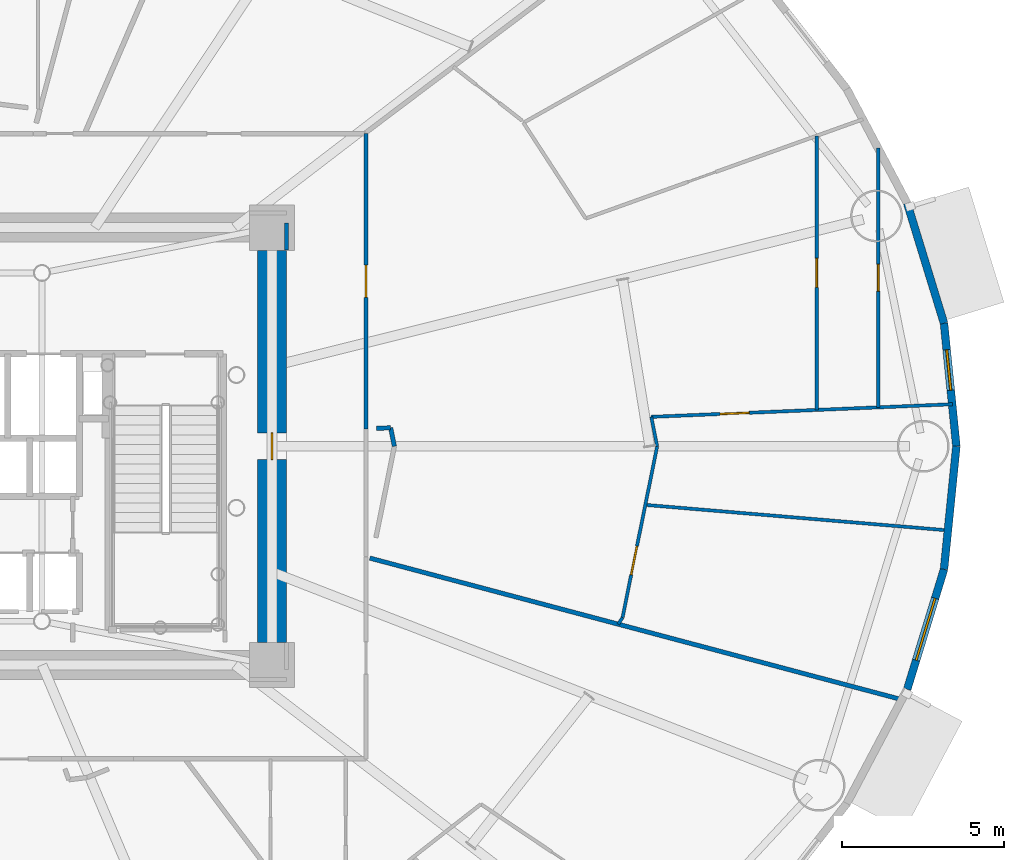
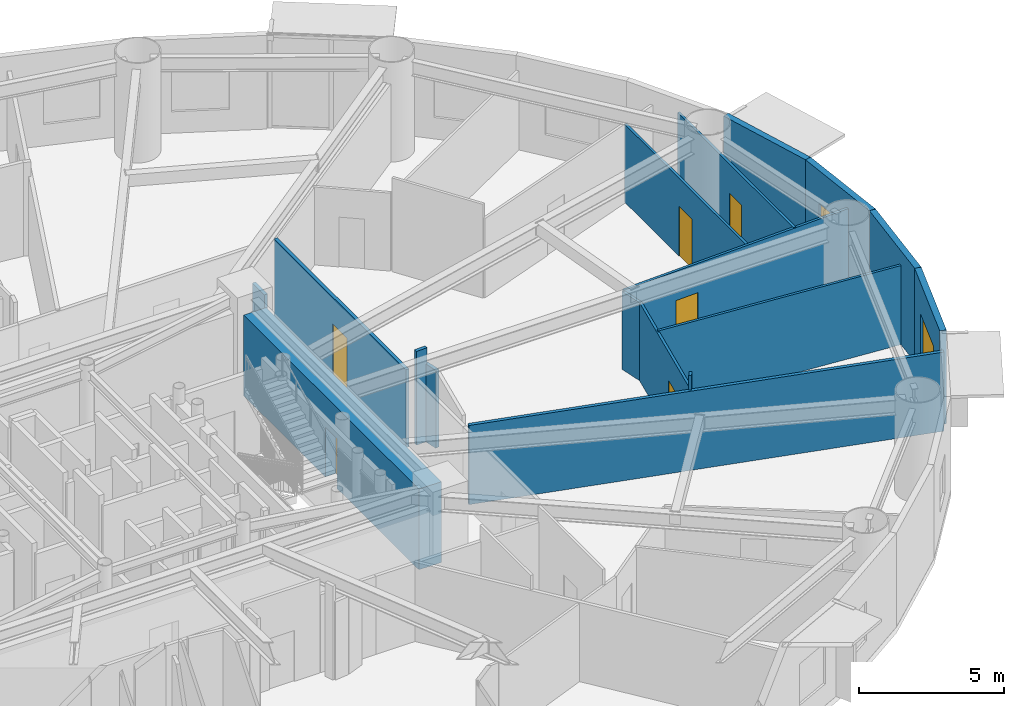
# One storey, part 14 of 24: 17 walls, 6 doors, 2 windows, 8 openings.
"""IFC4 building model written with IfcOpenShell, lengths in metres."""

import ifcopenshell
import ifcopenshell.guid

model = None  # the IFC model being written
_history = None  # IfcOwnerHistory: only IFC2X3 demands one
_inside = {}  # id of a spatial element -> (the spatial element, [elements in it])
_under = {}  # id of a project, library or spatial element -> (it, [spatial elements below it])
_declared = {}  # id of a project -> (the project, [libraries it declares])
_typed = {}  # id of a type object -> (the type object, [elements of that type])
_made_of = {}  # id of a material, layer set ... -> (it, [elements and type objects made of it])


def new_model(schema):
    """Start an empty IFC model of exactly this schema.

    Asked for "IFC4X3", IfcOpenShell would pick the latest addendum, in which some entities
    have other attributes; the version numbers below select the first issue.
    IFC2X3 requires an IfcOwnerHistory on every rooted entity: one is made here for all.
    """
    global model, _history
    if schema == "IFC4X3":
        model = ifcopenshell.file(schema_version=(4, 3, 0, 0))
    else:
        model = ifcopenshell.file(schema=schema)
    _inside.clear()
    _under.clear()
    _declared.clear()
    _typed.clear()
    _made_of.clear()
    _history = None
    if model.schema == "IFC2X3":
        org = make("IfcOrganization", Name="unknown")
        user = make(
            "IfcPersonAndOrganization",
            ThePerson=make("IfcPerson", FamilyName="unknown"),
            TheOrganization=org,
        )
        app = make(
            "IfcApplication",
            ApplicationDeveloper=org,
            Version="unknown",
            ApplicationFullName="unknown",
            ApplicationIdentifier="unknown",
        )
        _history = make(
            "IfcOwnerHistory",
            OwningUser=user,
            OwningApplication=app,
            ChangeAction="ADDED",
            CreationDate=0,
        )
    return model


def make(cls, **values):
    """One entity of the class cls with the attributes given. An attribute that is None is left unset."""
    return model.create_entity(
        cls, **{name: value for name, value in values.items() if value is not None}
    )


def rooted(cls, **values):
    """An entity with a GlobalId (a new one), such as an element, a storey or a relation."""
    return make(cls, GlobalId=ifcopenshell.guid.new(), OwnerHistory=_history, **values)


def si_unit(unit_type, name, prefix=None):
    """IfcSIUnit, for example si_unit("LENGTHUNIT", "METRE", prefix="MILLI")."""
    return make("IfcSIUnit", UnitType=unit_type, Prefix=prefix, Name=name)


def assignment(units):
    """IfcUnitAssignment: the units of a project."""
    return None if units is None else make("IfcUnitAssignment", Units=units)


def point(xyz):
    """IfcCartesianPoint."""
    return None if xyz is None else make("IfcCartesianPoint", Coordinates=xyz)


def direction(xyz):
    """IfcDirection."""
    return None if xyz is None else make("IfcDirection", DirectionRatios=xyz)


def frame(location, z_axis=None, x_axis=None):
    """IfcAxis2Placement3D, a coordinate frame: its origin and axes. An axis left out is left unset."""
    return make(
        "IfcAxis2Placement3D",
        Location=point(location),
        Axis=direction(z_axis),
        RefDirection=direction(x_axis),
    )


def frame_2d(location, x_axis=None):
    """IfcAxis2Placement2D, a coordinate frame in the plane: its origin and x axis."""
    return make(
        "IfcAxis2Placement2D", Location=point(location), RefDirection=direction(x_axis)
    )


def origin():
    """The frame at (0, 0, 0) with its axes left unset."""
    return frame((0.0, 0.0, 0.0))


def origin_2d():
    """The frame at (0, 0) in the plane with its x axis left unset."""
    return frame_2d((0.0, 0.0))


def place(relative_to, where):
    """IfcLocalPlacement: puts the frame where relative to a parent placement (None: the world)."""
    return make(
        "IfcLocalPlacement", PlacementRelTo=relative_to, RelativePlacement=where
    )


def context(
    kind, dimensions, precision=None, world=None, true_north=None, identifier=None
):
    """IfcGeometricRepresentationContext, for example the 3D "Model" context."""
    return make(
        "IfcGeometricRepresentationContext",
        ContextIdentifier=identifier,
        ContextType=kind,
        CoordinateSpaceDimension=dimensions,
        Precision=precision,
        WorldCoordinateSystem=world,
        TrueNorth=true_north,
    )


def subcontext(parent, identifier, kind, view, scale=None):
    """IfcGeometricRepresentationSubContext, for example "Body" below "Model"."""
    return make(
        "IfcGeometricRepresentationSubContext",
        ContextIdentifier=identifier,
        ContextType=kind,
        ParentContext=parent,
        TargetScale=scale,
        TargetView=view,
    )


def project(units=None, contexts=None):
    """IfcProject with its units and contexts."""
    return rooted(
        "IfcProject",
        Name="project",
        RepresentationContexts=contexts,
        UnitsInContext=assignment(units),
    )


def spatial(cls, under=None, at=None, **own):
    """A site, building, storey or space (cls), placed at a placement, below another one or the project."""
    s = rooted(cls, ObjectPlacement=at, **own)
    if under is not None:
        _under.setdefault(under.id(), (under, []))[1].append(s)
    return s


def profile(cls, at=None, kind="AREA", **sizes):
    """A parametric profile (cls). Its sizes go by their IFC names, for example OverallWidth=200.0."""
    return make(cls, ProfileType=kind, Position=at, **sizes)


def rectangle(**sizes):
    """IfcRectangleProfileDef."""
    return profile("IfcRectangleProfileDef", **sizes)


def extrude(swept, where, along, depth):
    """IfcExtrudedAreaSolid: the profile swept, set in the frame where, extruded along a direction by depth."""
    return make(
        "IfcExtrudedAreaSolid",
        SweptArea=swept,
        Position=where,
        ExtrudedDirection=direction(along),
        Depth=depth,
    )


def shape(context_of_items, identifier, shape_type, items):
    """IfcShapeRepresentation: the items that make up one representation, for example the "Body"."""
    return make(
        "IfcShapeRepresentation",
        ContextOfItems=context_of_items,
        RepresentationIdentifier=identifier,
        RepresentationType=shape_type,
        Items=items,
    )


def source(mapping_origin, context_of_items, identifier, shape_type, items):
    """IfcRepresentationMap: a shape defined once, which mapped items show again and again."""
    return make(
        "IfcRepresentationMap",
        MappingOrigin=mapping_origin,
        MappedRepresentation=shape(context_of_items, identifier, shape_type, items),
    )


def transform(
    local_origin,
    x_axis=None,
    y_axis=None,
    z_axis=None,
    scale=None,
    scale2=None,
    scale3=None,
    uniform=True,
):
    """IfcCartesianTransformationOperator3D, or its non-uniform kind. x_axis, y_axis, z_axis: its Axis1, 2, 3."""
    if uniform:
        return make(
            "IfcCartesianTransformationOperator3D",
            Axis1=direction(x_axis),
            Axis2=direction(y_axis),
            LocalOrigin=point(local_origin),
            Scale=scale,
            Axis3=direction(z_axis),
        )
    return make(
        "IfcCartesianTransformationOperator3DnonUniform",
        Axis1=direction(x_axis),
        Axis2=direction(y_axis),
        LocalOrigin=point(local_origin),
        Scale=scale,
        Axis3=direction(z_axis),
        Scale2=scale2,
        Scale3=scale3,
    )


def mapped(mapping_source, mapping_target):
    """IfcMappedItem: shows the shape of a source again, moved by a transform."""
    return make(
        "IfcMappedItem", MappingSource=mapping_source, MappingTarget=mapping_target
    )


def material(Name=None, Category=None):
    """IfcMaterial."""
    return make("IfcMaterial", Name=Name, Category=Category)


def layer(
    of_material, thickness, ventilated=None, Name=None, Category=None, Priority=None
):
    """IfcMaterialLayer: one layer of a wall or slab, of a material (None: an air gap)."""
    return make(
        "IfcMaterialLayer",
        Material=of_material,
        LayerThickness=thickness,
        IsVentilated=ventilated,
        Name=Name,
        Category=Category,
        Priority=Priority,
    )


def layer_set(layers, Name=None):
    """IfcMaterialLayerSet."""
    return make("IfcMaterialLayerSet", MaterialLayers=layers, LayerSetName=Name)


def made_of(thing, what):
    """Note that an element or type object is made of a material, layer set ...; save() writes the relation."""
    if what is not None:
        _made_of.setdefault(what.id(), (what, []))[1].append(thing)
    return thing


def type_object(cls, material=None, **own):
    """A type object (cls), such as IfcWallType, which elements share."""
    return made_of(rooted(cls, **own), material)


def element(
    cls,
    number,
    at=None,
    inside=None,
    cuts=None,
    type_object=None,
    material=None,
    context=None,
    identifier="Body",
    shape_type=None,
    held_by="IfcProductDefinitionShape",
    body=None,
    shapes=None,
    **own,
):
    """One element of the class cls, such as IfcWall. Its Tag is "e" and its number.

    at: its placement. inside: the storey or other place that contains it. cuts: it is an
    opening in that element (IfcRelVoidsElement). A single representation is given by context,
    identifier, shape_type and body (its items); several are given by shapes. held_by: the class
    of the entity that holds the representations. save() writes the other relations.
    """
    e = rooted(cls, Tag="e%d" % number, ObjectPlacement=at, **own)
    if body is not None:
        shapes = [shape(context, identifier, shape_type, body)]
    if shapes is not None:
        e.Representation = make(held_by, Representations=shapes)
    if inside is not None:
        _inside.setdefault(inside.id(), (inside, []))[1].append(e)
    if cuts is not None:
        rooted(
            "IfcRelVoidsElement", RelatingBuildingElement=cuts, RelatedOpeningElement=e
        )
    if type_object is not None:
        _typed.setdefault(type_object.id(), (type_object, []))[1].append(e)
    return made_of(e, material)


def fill(opening, filler):
    """IfcRelFillsElement: the door or window that sits in an opening."""
    return rooted(
        "IfcRelFillsElement",
        RelatingOpeningElement=opening,
        RelatedBuildingElement=filler,
    )


def aggregate(whole, parts):
    """IfcRelAggregates: a whole, such as a stair, and the parts it consists of."""
    return rooted("IfcRelAggregates", RelatingObject=whole, RelatedObjects=parts)


def save(model, path):
    """Write the relations noted so far, then the file.

    IfcRelAggregates (storeys below a building ...), IfcRelContainedInSpatialStructure (elements
    in a storey), IfcRelDefinesByType, IfcRelAssociatesMaterial and IfcRelDeclares: one each for
    every whole, place, type object, material and project.
    """
    for whole, parts in _under.values():
        aggregate(whole, parts)
    for where, things in _inside.values():
        rooted(
            "IfcRelContainedInSpatialStructure",
            RelatedElements=things,
            RelatingStructure=where,
        )
    for kind, things in _typed.values():
        rooted("IfcRelDefinesByType", RelatedObjects=things, RelatingType=kind)
    for what, things in _made_of.values():
        rooted("IfcRelAssociatesMaterial", RelatedObjects=things, RelatingMaterial=what)
    for by, libraries in _declared.values():
        rooted("IfcRelDeclares", RelatingContext=by, RelatedDefinitions=libraries)
    model.write(path)


model = new_model("IFC4")

# Units and contexts
model_context = context("Model", 3, precision=1e-05, world=origin(), true_north=direction((0.0, 1.0)))
body_context = subcontext(model_context, "Body", "Model", "MODEL_VIEW")
ifc_project = project(units=[si_unit("LENGTHUNIT", "METRE"), si_unit("AREAUNIT", "SQUARE_METRE"), si_unit("VOLUMEUNIT", "CUBIC_METRE"), si_unit("PLANEANGLEUNIT", "RADIAN"), si_unit("MASSUNIT", "GRAM", prefix="KILO")], contexts=[model_context])

# Site, building, storey
site_placement = place(None, origin())
site = spatial("IfcSite", under=ifc_project, at=site_placement, CompositionType="ELEMENT")
building_placement = place(site_placement, origin())
building = spatial("IfcBuilding", under=site, at=building_placement, Name="Linh Dai School and Residence Tower", CompositionType="ELEMENT")
storey_placement = place(building_placement, frame((0.0, 0.0, 70.199951171875)))
storey = spatial("IfcBuildingStorey", under=building, at=storey_placement, Name="L16", CompositionType="ELEMENT", Elevation=70.199951171875)

# Wall, opening, window
ifc_material_1 = material(Name="Precast Concrete B45 (C35/45)", Category="concrete")
ifc_layer_1 = layer(ifc_material_1, 0.239990234375)
ifc_layer_set_1 = layer_set([ifc_layer_1], Name="Precast Concrete B45 (C35/45)")
wall_type_1 = type_object("IfcWallType", Name="EW-TC-240", PredefinedType="SOLIDWALL", material=ifc_layer_set_1)
wall_1_placement = place(storey_placement, frame((66.693359375, 30.796875, 0.0), z_axis=(0.0, 0.0, 1.0), x_axis=(0.099997795174, -0.994987658698, 0.0)))
wall_1 = element("IfcWall", 1, at=wall_1_placement, inside=storey, type_object=wall_type_1, Name="L16 Terracotta Exterior Wall 01", PredefinedType="SOLIDWALL", context=body_context, shape_type="SweptSolid", body=[
    extrude(rectangle(XDim=3.81591796875, YDim=0.239990234375, at=frame_2d((1.907958984375, 0.0))), origin(), (0.0, 0.0, 1.0), 3.949951171875),
])
opening_1_placement = place(wall_1_placement, frame((0.82421875, 0.0, 0.89990234375)))
opening_1 = element("IfcOpeningElement", 2, at=opening_1_placement, cuts=wall_1, Name="Opening W3", PredefinedType="OPENING", context=body_context, shape_type="SweptSolid", body=[
    extrude(rectangle(XDim=1.25, YDim=1.64990234375, at=origin_2d()), frame((0.625, 0.1298828125, 0.824951171875), z_axis=(0.0, -1.0, 0.0), x_axis=(1.0, 0.0, 0.0)), (0.0, 0.0, 1.0), 0.260009765625),
])
ifc_material_2 = material(Name="Double Low-E Insulated Glazing", Category="glass")
window_type_1 = type_object("IfcWindowType", Name="WN-RES-1250x1650", PartitioningType="SINGLE_PANEL", PredefinedType="WINDOW", material=ifc_material_2)
shared_shape_1 = source(origin(), body_context, "Body", "SweptSolid", [
    extrude(rectangle(XDim=1.25, YDim=1.64990234375, at=origin_2d()), frame((0.625, 0.030029296875, 0.824951171875), z_axis=(0.0, -1.0, 0.0), x_axis=(1.0, 0.0, 0.0)), (0.0, 0.0, 1.0), 0.06005859375),
])
window_1_placement = place(opening_1_placement, origin())
window_1 = element("IfcWindow", 3, at=window_1_placement, inside=storey, type_object=window_type_1, Name="L16 Exterior Window 01.1", OverallHeight=1.64990234375, OverallWidth=1.25, PartitioningType="SINGLE_PANEL", PredefinedType="WINDOW", context=body_context, shape_type="MappedRepresentation", body=[
    mapped(shared_shape_1, transform((0.0, 0.0, 0.0), x_axis=(1.0, 0.0, 0.0), y_axis=(0.0, 1.0, 0.0), z_axis=(0.0, 0.0, 1.0), scale=1.0)),
])
fill(opening_1, window_1)

# Wall
wall_2_placement = place(storey_placement, frame((65.5576171875, 34.50146484375, 0.0), z_axis=(0.0, 0.0, 1.0), x_axis=(0.293111631758, -0.956078224482, 0.0)))
element("IfcWall", 4, at=wall_2_placement, inside=storey, type_object=wall_type_1, Name="L16 Terracotta Exterior Wall 02", PredefinedType="SOLIDWALL", context=body_context, shape_type="SweptSolid", body=[
    extrude(rectangle(XDim=3.874755859375, YDim=0.239990234375, at=frame_2d((1.9375, 0.0))), origin(), (0.0, 0.0, 1.0), 3.949951171875),
])

# Wall, opening, window
wall_3_placement = place(storey_placement, frame((66.693359375, 23.203125, 0.0), z_axis=(0.0, 0.0, 1.0), x_axis=(-0.293111631758, -0.956078224482, 0.0)))
wall_3 = element("IfcWall", 5, at=wall_3_placement, inside=storey, type_object=wall_type_1, Name="L16 Terracotta Exterior Wall 39", PredefinedType="SOLIDWALL", context=body_context, shape_type="SweptSolid", body=[
    extrude(rectangle(XDim=3.874755859375, YDim=0.239990234375, at=frame_2d((1.9375, 0.0))), origin(), (0.0, 0.0, 1.0), 3.949951171875),
])
opening_2_placement = place(wall_3_placement, frame((0.9375, 0.0, 0.89990234375)))
opening_2 = element("IfcOpeningElement", 6, at=opening_2_placement, cuts=wall_3, Name="Opening W1", PredefinedType="OPENING", context=body_context, shape_type="SweptSolid", body=[
    extrude(rectangle(XDim=2.0, YDim=1.75, at=origin_2d()), frame((1.0, 0.1298828125, 0.875), z_axis=(0.0, -1.0, 0.0), x_axis=(1.0, 0.0, 0.0)), (0.0, 0.0, 1.0), 0.260009765625),
])
window_type_2 = type_object("IfcWindowType", Name="WN-RES-2000x1750", PartitioningType="DOUBLE_PANEL_VERTICAL", PredefinedType="WINDOW", material=ifc_material_2)
shared_shape_2 = source(origin(), body_context, "Body", "SweptSolid", [
    extrude(rectangle(XDim=2.0, YDim=1.75, at=origin_2d()), frame((1.0, 0.030029296875, 0.875), z_axis=(0.0, -1.0, 0.0), x_axis=(1.0, 0.0, 0.0)), (0.0, 0.0, 1.0), 0.06005859375),
])
window_2_placement = place(opening_2_placement, origin())
window_2 = element("IfcWindow", 7, at=window_2_placement, inside=storey, type_object=window_type_2, Name="L16 Exterior Window 39.1", OverallHeight=1.75, OverallWidth=2.0, PartitioningType="DOUBLE_PANEL_VERTICAL", PredefinedType="WINDOW", context=body_context, shape_type="MappedRepresentation", body=[
    mapped(shared_shape_2, transform((0.0, 0.0, 0.0), x_axis=(1.0, 0.0, 0.0), y_axis=(0.0, 1.0, 0.0), z_axis=(0.0, 0.0, 1.0), scale=1.0)),
])
fill(opening_2, window_2)

# Wall
wall_4_placement = place(storey_placement, frame((67.074951171875, 27.0, 0.0), z_axis=(0.0, 0.0, 1.0), x_axis=(-0.099997795174, -0.994987658698, 0.0)))
element("IfcWall", 8, at=wall_4_placement, inside=storey, type_object=wall_type_1, Name="L16 Terracotta Exterior Wall 40", PredefinedType="SOLIDWALL", context=body_context, shape_type="SweptSolid", body=[
    extrude(rectangle(XDim=3.81591796875, YDim=0.239990234375, at=frame_2d((1.907958984375, 0.0))), origin(), (0.0, 0.0, 1.0), 3.949951171875),
])

# Wall, opening, door
ifc_material_3 = material(Name="Autoclaved Aerated Concrete Blockwork", Category="masonry")
ifc_layer_2 = layer(ifc_material_3, 0.135009765625)
ifc_layer_set_2 = layer_set([ifc_layer_2], Name="Autoclaved Aerated Concrete Blockwork")
wall_type_2 = type_object("IfcWallType", Name="IW-CORR-135-EI90", PredefinedType="PARTITIONING", material=ifc_layer_set_2)
wall_5_placement = place(storey_placement, frame((48.85009765625, 27.538330078125, 0.0), z_axis=(0.0, 0.0, 1.0), x_axis=(0.0, 1.0, 0.0)))
wall_5 = element("IfcWall", 9, at=wall_5_placement, inside=storey, type_object=wall_type_2, Name="L16 Interior Partition Wall 093", PredefinedType="PARTITIONING", context=body_context, shape_type="SweptSolid", body=[
    extrude(rectangle(XDim=9.111572265625, YDim=0.135009765625, at=frame_2d((4.5556640625, 0.0))), origin(), (0.0, 0.0, 1.0), 3.28515625),
])
opening_3_placement = place(wall_5_placement, frame((4.055908203125, 0.0, 0.0)))
opening_3 = element("IfcOpeningElement", 10, at=opening_3_placement, cuts=wall_5, Name="Opening D03", PredefinedType="OPENING", context=body_context, shape_type="SweptSolid", body=[
    extrude(rectangle(XDim=1.0, YDim=2.14990234375, at=origin_2d()), frame((0.5, 0.07763671875, 1.074951171875), z_axis=(0.0, -1.0, 0.0), x_axis=(1.0, 0.0, 0.0)), (0.0, 0.0, 1.0), 0.155029296875),
])
ifc_material_4 = material(Name="Fire-Rated Solid Timber Entrance Door", Category="wood")
door_type_1 = type_object("IfcDoorType", Name="DR-FLAT-1000x2150-FD60S", OperationType="NOTDEFINED", PredefinedType="DOOR", material=ifc_material_4)
shared_shape_3 = source(origin(), body_context, "Body", "SweptSolid", [
    extrude(rectangle(XDim=1.0, YDim=2.14990234375, at=origin_2d()), frame((0.5, 0.02490234375, 1.074951171875), z_axis=(0.0, -1.0, 0.0), x_axis=(1.0, 0.0, 0.0)), (0.0, 0.0, 1.0), 0.050048828125),
])
door_1_placement = place(opening_3_placement, origin())
door_1 = element("IfcDoor", 11, at=door_1_placement, inside=storey, type_object=door_type_1, Name="L16 U1607 Apartment Entrance Door", OperationType="SINGLE_SWING_LEFT", OverallHeight=2.14990234375, OverallWidth=1.0, PredefinedType="DOOR", context=body_context, shape_type="MappedRepresentation", body=[
    mapped(shared_shape_3, transform((0.0, 0.0, 0.0), x_axis=(1.0, 0.0, 0.0), y_axis=(0.0, 1.0, 0.0), z_axis=(0.0, 0.0, 1.0), scale=1.0)),
])
fill(opening_3, door_1)

# Walls
wall_6_placement = place(storey_placement, frame((48.971435546875, 23.54833984375, 0.0), z_axis=(0.0, 0.0, 1.0), x_axis=(0.966368341592, -0.257161871917, 0.0)))
element("IfcWall", 12, at=wall_6_placement, inside=storey, type_object=wall_type_2, Name="L16 Interior Partition Wall 095", PredefinedType="PARTITIONING", context=body_context, shape_type="SweptSolid", body=[
    extrude(rectangle(XDim=16.99365234375, YDim=0.135009765625, at=frame_2d((8.496826171875, 0.0))), origin(), (0.0, 0.0, 1.0), 3.3349609375),
])
wall_7_placement = place(storey_placement, frame((46.39990234375, 33.06005859375, 0.0), z_axis=(0.0, 0.0, 1.0), x_axis=(0.0, 1.0, 0.0)))
element("IfcWall", 13, at=wall_7_placement, inside=storey, type_object=wall_type_2, Name="L16 Interior Partition Wall 132", PredefinedType="PARTITIONING", context=body_context, shape_type="SweptSolid", body=[
    extrude(rectangle(XDim=0.83251953125, YDim=0.135009765625, at=frame_2d((0.416259765625, 0.0))), origin(), (0.0, 0.0, 1.0), 3.949951171875),
])
wall_8_placement = place(storey_placement, frame((49.72802734375, 27.0, 0.0), z_axis=(0.0, 0.0, 1.0), x_axis=(-0.198455472993, 0.980109904674, 0.0)))
element("IfcWall", 14, at=wall_8_placement, inside=storey, type_object=wall_type_2, Name="L16 Interior Partition Wall 151", PredefinedType="PARTITIONING", context=body_context, shape_type="SweptSolid", body=[
    extrude(rectangle(XDim=0.581787109375, YDim=0.135009765625, at=frame_2d((0.291015625, 0.0))), origin(), (0.0, 0.0, 1.0), 3.28515625),
])
wall_9_placement = place(storey_placement, frame((49.612548828125, 27.5703125, 0.0), z_axis=(0.0, 0.0, 1.0), x_axis=(-0.999115494312, -0.042050315417, 0.0)))
element("IfcWall", 15, at=wall_9_placement, inside=storey, type_object=wall_type_2, Name="L16 Interior Partition Wall 152", PredefinedType="PARTITIONING", context=body_context, shape_type="SweptSolid", body=[
    extrude(rectangle(XDim=0.435546875, YDim=0.135009765625, at=frame_2d((0.2177734375, 0.0))), origin(), (0.0, 0.0, 1.0), 3.949951171875),
])
ifc_material_5 = material(Name="Gypsum Plasterboard Acoustic Stud Partition", Category="masonry")
ifc_layer_3 = layer(ifc_material_5, 0.10009765625)
ifc_layer_set_3 = layer_set([ifc_layer_3], Name="Gypsum Plasterboard Acoustic Stud Partition")
wall_type_3 = type_object("IfcWallType", Name="IW-UNIT-100", PredefinedType="PARTITIONING", material=ifc_layer_set_3)
wall_10_placement = place(storey_placement, frame((56.636474609375, 21.508544921875, 0.0), z_axis=(0.0, 0.0, 1.0), x_axis=(0.544849315021, 0.838533973027, 0.0)))
element("IfcWall", 16, at=wall_10_placement, inside=storey, type_object=wall_type_3, Name="L16 Interior Partition Wall 102", PredefinedType="PARTITIONING", context=body_context, shape_type="SweptSolid", body=[
    extrude(rectangle(XDim=0.246826171875, YDim=0.10009765625, at=frame_2d((0.12353515625, 0.0))), origin(), (0.0, 0.0, 1.0), 3.949951171875),
])

# Wall, opening, door
wall_11_placement = place(storey_placement, frame((56.77099609375, 21.715576171875, 0.0), z_axis=(0.0, 0.0, 1.0), x_axis=(0.198292702032, 0.980142848936, 0.0)))
wall_11 = element("IfcWall", 17, at=wall_11_placement, inside=storey, type_object=wall_type_3, Name="L16 Interior Partition Wall 103", PredefinedType="PARTITIONING", context=body_context, shape_type="SweptSolid", body=[
    extrude(rectangle(XDim=5.3916015625, YDim=0.10009765625, at=frame_2d((2.69580078125, 0.0))), origin(), (0.0, 0.0, 1.0), 3.28515625),
])
opening_4_placement = place(wall_11_placement, frame((1.3427734375, 0.0, 0.0)))
opening_4 = element("IfcOpeningElement", 18, at=opening_4_placement, cuts=wall_11, Name="Opening D05", PredefinedType="OPENING", context=body_context, shape_type="SweptSolid", body=[
    extrude(rectangle(XDim=0.89990234375, YDim=2.10009765625, at=origin_2d()), frame((0.449951171875, 0.06005859375, 1.050048828125), z_axis=(0.0, -1.0, 0.0), x_axis=(1.0, 0.0, 0.0)), (0.0, 0.0, 1.0), 0.1201171875),
])
ifc_material_6 = material(Name="Engineered Timber Internal Door", Category="wood")
door_type_2 = type_object("IfcDoorType", Name="DR-INT-900x2100", OperationType="NOTDEFINED", PredefinedType="DOOR", material=ifc_material_6)
shared_shape_4 = source(origin(), body_context, "Body", "SweptSolid", [
    extrude(rectangle(XDim=0.89990234375, YDim=2.10009765625, at=origin_2d()), frame((0.449951171875, 0.02490234375, 1.050048828125), z_axis=(0.0, -1.0, 0.0), x_axis=(1.0, 0.0, 0.0)), (0.0, 0.0, 1.0), 0.050048828125),
])
door_2_placement = place(opening_4_placement, origin())
door_2 = element("IfcDoor", 19, at=door_2_placement, inside=storey, type_object=door_type_2, Name="L16 Apartment U1607 Principal Bedroom 1 Door", OperationType="SINGLE_SWING_RIGHT", OverallHeight=2.10009765625, OverallWidth=0.89990234375, PredefinedType="DOOR", context=body_context, shape_type="MappedRepresentation", body=[
    mapped(shared_shape_4, transform((0.0, 0.0, 0.0), x_axis=(1.0, 0.0, 0.0), y_axis=(0.0, 1.0, 0.0), z_axis=(0.0, 0.0, 1.0), scale=1.0)),
])
fill(opening_4, door_2)

# Walls
wall_12_placement = place(storey_placement, frame((57.47412109375, 25.190673828125, 0.0), z_axis=(0.0, 0.0, 1.0), x_axis=(0.996471574276, -0.083930933863, 0.0)))
element("IfcWall", 20, at=wall_12_placement, inside=storey, type_object=wall_type_3, Name="L16 Interior Partition Wall 104", PredefinedType="PARTITIONING", context=body_context, shape_type="SweptSolid", body=[
    extrude(rectangle(XDim=9.378173828125, YDim=0.10009765625, at=frame_2d((4.68896484375, 0.0))), origin(), (0.0, 0.0, 1.0), 3.3349609375),
])
wall_13_placement = place(storey_placement, frame((57.656494140625, 27.9072265625, 0.0), z_axis=(0.0, 0.0, 1.0), x_axis=(0.198347441677, -0.980131772967, 0.0)))
element("IfcWall", 21, at=wall_13_placement, inside=storey, type_object=wall_type_3, Name="L16 Interior Partition Wall 105", PredefinedType="PARTITIONING", context=body_context, shape_type="SweptSolid", body=[
    extrude(rectangle(XDim=0.925537109375, YDim=0.10009765625, at=frame_2d((0.462890625, 0.0))), origin(), (0.0, 0.0, 1.0), 3.28515625),
])

# Wall, opening, door
wall_14_placement = place(storey_placement, frame((57.656494140625, 27.9072265625, 0.0), z_axis=(0.0, 0.0, 1.0), x_axis=(0.999123265136, 0.041865272767, 0.0)))
wall_14 = element("IfcWall", 22, at=wall_14_placement, inside=storey, type_object=wall_type_3, Name="L16 Interior Partition Wall 106", PredefinedType="PARTITIONING", context=body_context, shape_type="SweptSolid", body=[
    extrude(rectangle(XDim=9.30126953125, YDim=0.10009765625, at=frame_2d((4.650634765625, 0.0))), origin(), (0.0, 0.0, 1.0), 3.3349609375),
])
opening_5_placement = place(wall_14_placement, frame((2.127197265625, 0.0, 0.0)))
opening_5 = element("IfcOpeningElement", 23, at=opening_5_placement, cuts=wall_14, Name="Opening D05", PredefinedType="OPENING", context=body_context, shape_type="SweptSolid", body=[
    extrude(rectangle(XDim=0.89990234375, YDim=2.10009765625, at=origin_2d()), frame((0.449951171875, 0.06005859375, 1.050048828125), z_axis=(0.0, -1.0, 0.0), x_axis=(1.0, 0.0, 0.0)), (0.0, 0.0, 1.0), 0.1201171875),
])
door_3_placement = place(opening_5_placement, origin())
door_3 = element("IfcDoor", 24, at=door_3_placement, inside=storey, type_object=door_type_2, Name="L16 Apartment U1607 Study Door", OperationType="SINGLE_SWING_LEFT", OverallHeight=2.10009765625, OverallWidth=0.89990234375, PredefinedType="DOOR", context=body_context, shape_type="MappedRepresentation", body=[
    mapped(shared_shape_4, transform((0.0, 0.0, 0.0), x_axis=(1.0, 0.0, 0.0), y_axis=(0.0, 1.0, 0.0), z_axis=(0.0, 0.0, 1.0), scale=1.0)),
])
fill(opening_5, door_3)

wall_15_placement = place(storey_placement, frame((62.76611328125, 28.121337890625, 0.0), z_axis=(0.0, 0.0, 1.0), x_axis=(0.0, 1.0, 0.0)))
wall_15 = element("IfcWall", 25, at=wall_15_placement, inside=storey, type_object=wall_type_3, Name="L16 Interior Partition Wall 107", PredefinedType="PARTITIONING", context=body_context, shape_type="SweptSolid", body=[
    extrude(rectangle(XDim=8.462158203125, YDim=0.10009765625, at=frame_2d((4.23095703125, 0.0))), origin(), (0.0, 0.0, 1.0), 3.28515625),
])
opening_6_placement = place(wall_15_placement, frame((3.781005859375, 0.0, 0.0)))
opening_6 = element("IfcOpeningElement", 26, at=opening_6_placement, cuts=wall_15, Name="Opening D05", PredefinedType="OPENING", context=body_context, shape_type="SweptSolid", body=[
    extrude(rectangle(XDim=0.89990234375, YDim=2.10009765625, at=origin_2d()), frame((0.449951171875, 0.06005859375, 1.050048828125), z_axis=(0.0, -1.0, 0.0), x_axis=(1.0, 0.0, 0.0)), (0.0, 0.0, 1.0), 0.1201171875),
])
door_4_placement = place(opening_6_placement, origin())
door_4 = element("IfcDoor", 27, at=door_4_placement, inside=storey, type_object=door_type_2, Name="L16 Apartment U1607 Kitchen Door", OperationType="SINGLE_SWING_RIGHT", OverallHeight=2.10009765625, OverallWidth=0.89990234375, PredefinedType="DOOR", context=body_context, shape_type="MappedRepresentation", body=[
    mapped(shared_shape_4, transform((0.0, 0.0, 0.0), x_axis=(1.0, 0.0, 0.0), y_axis=(0.0, 1.0, 0.0), z_axis=(0.0, 0.0, 1.0), scale=1.0)),
])
fill(opening_6, door_4)

wall_16_placement = place(storey_placement, frame((64.663818359375, 28.200927734375, 0.0), z_axis=(0.0, 0.0, 1.0), x_axis=(0.0, 1.0, 0.0)))
wall_16 = element("IfcWall", 28, at=wall_16_placement, inside=storey, type_object=wall_type_3, Name="L16 Interior Partition Wall 108", PredefinedType="PARTITIONING", context=body_context, shape_type="SweptSolid", body=[
    extrude(rectangle(XDim=8.00048828125, YDim=0.10009765625, at=frame_2d((4.000244140625, 0.0))), origin(), (0.0, 0.0, 1.0), 3.3349609375),
])
opening_7_placement = place(wall_16_placement, frame((3.59033203125, 0.0, 0.0)))
opening_7 = element("IfcOpeningElement", 29, at=opening_7_placement, cuts=wall_16, Name="Opening D06", PredefinedType="OPENING", context=body_context, shape_type="SweptSolid", body=[
    extrude(rectangle(XDim=0.820068359375, YDim=2.10009765625, at=origin_2d()), frame((0.41015625, 0.06005859375, 1.050048828125), z_axis=(0.0, -1.0, 0.0), x_axis=(1.0, 0.0, 0.0)), (0.0, 0.0, 1.0), 0.1201171875),
])
ifc_material_7 = material(Name="Moisture-Resistant Timber Bathroom Door", Category="wood")
door_type_3 = type_object("IfcDoorType", Name="DR-WET-820x2100", OperationType="NOTDEFINED", PredefinedType="DOOR", material=ifc_material_7)
shared_shape_5 = source(origin(), body_context, "Body", "SweptSolid", [
    extrude(rectangle(XDim=0.820068359375, YDim=2.10009765625, at=origin_2d()), frame((0.41015625, 0.02490234375, 1.050048828125), z_axis=(0.0, -1.0, 0.0), x_axis=(1.0, 0.0, 0.0)), (0.0, 0.0, 1.0), 0.050048828125),
])
door_5_placement = place(opening_7_placement, origin())
door_5 = element("IfcDoor", 30, at=door_5_placement, inside=storey, type_object=door_type_3, Name="L16 Apartment U1607 Bathroom 1 Door", OperationType="SINGLE_SWING_LEFT", OverallHeight=2.10009765625, OverallWidth=0.820068359375, PredefinedType="DOOR", context=body_context, shape_type="MappedRepresentation", body=[
    mapped(shared_shape_5, transform((0.0, 0.0, 0.0), x_axis=(1.0, 0.0, 0.0), y_axis=(0.0, 1.0, 0.0), z_axis=(0.0, 0.0, 1.0), scale=1.0)),
])
fill(opening_7, door_5)

ifc_material_8 = material(Name="Concrete B60 (C50/60)", Category="concrete")
ifc_layer_4 = layer(ifc_material_8, 0.89990234375)
ifc_layer_set_4 = layer_set([ifc_layer_4], Name="Concrete B60 (C50/60)")
wall_type_4 = type_object("IfcWallType", Name="WL-CORE900", PredefinedType="SHEAR", material=ifc_layer_set_4)
wall_17_placement = place(storey_placement, frame((45.949951171875, 33.050048828125, 0.0), z_axis=(0.0, 0.0, 1.0), x_axis=(0.0, -1.0, 0.0)))
wall_17 = element("IfcWall", 31, at=wall_17_placement, inside=storey, type_object=wall_type_4, Name="L16 Central Core Shear Wall E", PredefinedType="SHEAR", context=body_context, shape_type="SweptSolid", body=[
    extrude(rectangle(XDim=12.10009765625, YDim=0.89990234375, at=frame_2d((6.050048828125, 0.0))), origin(), (0.0, 0.0, 1.0), 3.400146484375),
])
opening_8_placement = place(wall_17_placement, frame((5.639892578125, 0.0, 0.0)))
opening_8 = element("IfcOpeningElement", 32, at=opening_8_placement, cuts=wall_17, Name="Opening D06", PredefinedType="OPENING", context=body_context, shape_type="SweptSolid", body=[
    extrude(rectangle(XDim=0.820068359375, YDim=2.10009765625, at=origin_2d()), frame((0.41015625, 0.4599609375, 1.050048828125), z_axis=(0.0, -1.0, 0.0), x_axis=(1.0, 0.0, 0.0)), (0.0, 0.0, 1.0), 0.919921875),
])
door_6_placement = place(opening_8_placement, origin())
door_6 = element("IfcDoor", 33, at=door_6_placement, inside=storey, type_object=door_type_3, Name="L16 Firefighting Lobby Door", OperationType="SINGLE_SWING_RIGHT", OverallHeight=2.10009765625, OverallWidth=0.820068359375, PredefinedType="DOOR", context=body_context, shape_type="MappedRepresentation", body=[
    mapped(shared_shape_5, transform((0.0, 0.0, 0.0), x_axis=(1.0, 0.0, 0.0), y_axis=(0.0, 1.0, 0.0), z_axis=(0.0, 0.0, 1.0), scale=1.0)),
])
fill(opening_8, door_6)

save(model, "model.ifc")
